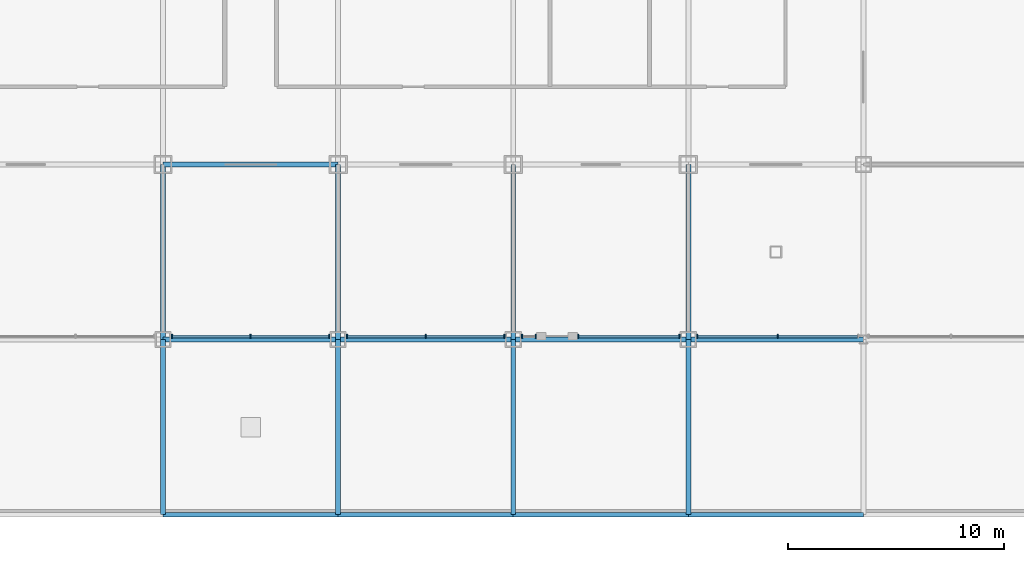
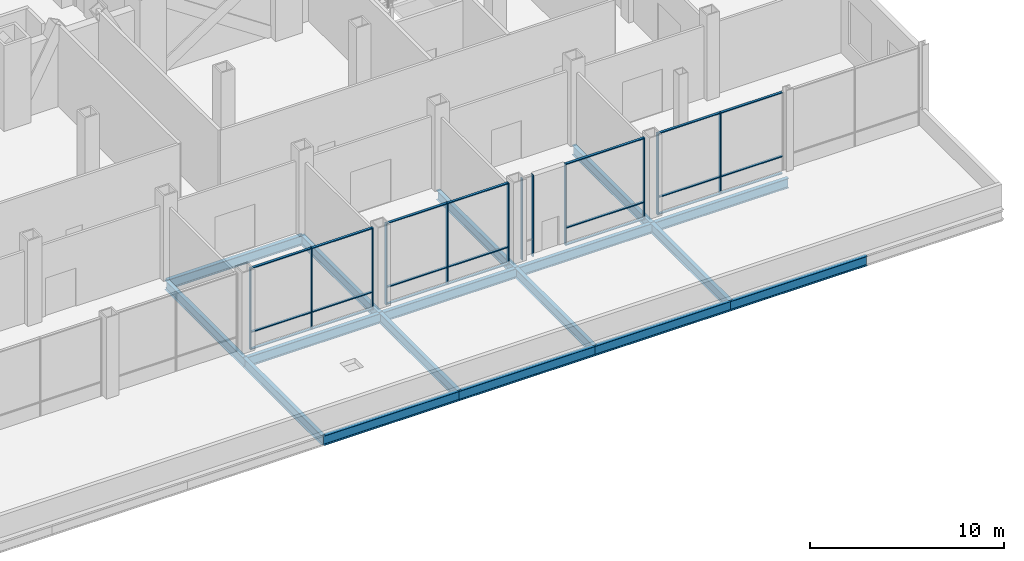
# One storey, part 11 of 29: 33 members, 17 beams, 5 elements without a shape of their own.
"""IFC4 building model written with IfcOpenShell, lengths in metres."""

from ifc_helpers import new_model, si_unit, direction, frame, origin, origin_2d, place, context, subcontext, project, spatial, rectangle, i_section, extrude, material, material_profile, profile_set, type_object, element, aggregate, save


model = new_model("IFC4")

# Units and contexts
model_context = context("Model", 3, precision=1e-05, world=origin(), true_north=direction((0.0, 1.0)))
body_context = subcontext(model_context, "Body", "Model", "MODEL_VIEW")
ifc_project = project(units=[si_unit("LENGTHUNIT", "METRE"), si_unit("AREAUNIT", "SQUARE_METRE"), si_unit("VOLUMEUNIT", "CUBIC_METRE"), si_unit("PLANEANGLEUNIT", "RADIAN"), si_unit("MASSUNIT", "GRAM", prefix="KILO")], contexts=[model_context])

# Site, building, storey
site_placement = place(None, origin())
site = spatial("IfcSite", under=ifc_project, at=site_placement, CompositionType="ELEMENT")
building_placement = place(site_placement, origin())
building = spatial("IfcBuilding", under=site, at=building_placement, Name="Kopane Lantern Tower", CompositionType="ELEMENT")
storey_placement = place(building_placement, frame((0.0, 0.0, 11.39990234375)))
storey = spatial("IfcBuildingStorey", under=building, at=storey_placement, Name="L02", CompositionType="ELEMENT", Elevation=11.39990234375)

# Beams
ifc_material_1 = material(Name="Steel S355JR", Category="steel")
ifc_material_profile_1 = material_profile(ifc_material_1, i_section(OverallWidth=0.22900390625, OverallDepth=0.6123046875, WebThickness=0.011962890625, FlangeThickness=0.01953125, FilletRadius=0.0126953125, at=origin_2d()), Name="UB 610x229x125")
ifc_profile_set_1 = profile_set([ifc_material_profile_1], Name="Steel S355JR")
beam_type = type_object("IfcBeamType", Name="GIRDER UB 610x229x125", PredefinedType="BEAM", material=ifc_profile_set_1)
beam_1_placement = place(storey_placement, frame((24.300048828125, -8.10009765625, -0.555908203125), z_axis=(0.0, 1.0, 0.0), x_axis=(-1.0, 0.0, 0.0)))
element("IfcBeam", 1, at=beam_1_placement, inside=storey, type_object=beam_type, Name="Girder L02", PredefinedType="BEAM", context=body_context, shape_type="SweptSolid", body=[
    extrude(i_section(OverallWidth=0.22900390625, OverallDepth=0.6123046875, WebThickness=0.011962890625, FlangeThickness=0.01953125, FilletRadius=0.0126953125, at=origin_2d()), origin(), (0.0, 0.0, 1.0), 8.10009765625),
])
beam_2_placement = place(storey_placement, frame((24.300048828125, -8.10009765625, -0.555908203125), z_axis=(1.0, 0.0, 0.0), x_axis=(0.0, 1.0, 0.0)))
element("IfcBeam", 2, at=beam_2_placement, inside=storey, type_object=beam_type, Name="Girder L02", PredefinedType="BEAM", context=body_context, shape_type="SweptSolid", body=[
    extrude(i_section(OverallWidth=0.22900390625, OverallDepth=0.6123046875, WebThickness=0.011962890625, FlangeThickness=0.01953125, FilletRadius=0.0126953125, at=origin_2d()), origin(), (0.0, 0.0, 1.0), 8.099853515625),
])
beam_3_placement = place(storey_placement, frame((24.300048828125, 0.0, -0.555908203125), z_axis=(0.0, 1.0, 0.0), x_axis=(-1.0, 0.0, 0.0)))
element("IfcBeam", 3, at=beam_3_placement, inside=storey, type_object=beam_type, Name="Girder L02", PredefinedType="BEAM", context=body_context, shape_type="SweptSolid", body=[
    extrude(i_section(OverallWidth=0.22900390625, OverallDepth=0.6123046875, WebThickness=0.011962890625, FlangeThickness=0.01953125, FilletRadius=0.0126953125, at=origin_2d()), origin(), (0.0, 0.0, 1.0), 8.10009765625),
])
for number, where, z_axis, x_axis, name in (
    (4, (24.300048828125, 0.0, -0.555908203125), (1.0, 0.0, 0.0), (0.0, 1.0, 0.0), "Girder L02"),
    (5, (24.300048828125, 8.10009765625, -0.555908203125), (1.0, 0.0, 0.0), (0.0, 1.0, 0.0), "Girder L02"),
):
    element("IfcBeam", number, at=place(storey_placement, frame(where, z_axis=z_axis, x_axis=x_axis)), inside=storey, type_object=beam_type, Name=name, PredefinedType="BEAM", context=body_context, shape_type="SweptSolid", body=[
        extrude(i_section(OverallWidth=0.22900390625, OverallDepth=0.6123046875, WebThickness=0.011962890625, FlangeThickness=0.01953125, FilletRadius=0.0126953125, at=origin_2d()), origin(), (0.0, 0.0, 1.0), 8.099853515625),
    ])
for number, where, z_axis, x_axis, name in (
    (6, (32.39990234375, -8.10009765625, -0.555908203125), (0.0, 1.0, 0.0), (-1.0, 0.0, 0.0), "Girder L02"),
    (7, (32.39990234375, -8.10009765625, -0.555908203125), (1.0, 0.0, 0.0), (0.0, 1.0, 0.0), "Girder L02"),
    (8, (32.39990234375, 0.0, -0.555908203125), (0.0, 1.0, 0.0), (-1.0, 0.0, 0.0), "Girder L02"),
    (9, (32.39990234375, 0.0, -0.555908203125), (1.0, 0.0, 0.0), (0.0, 1.0, 0.0), "Girder L02"),
    (10, (40.5, -8.10009765625, -0.555908203125), (0.0, 1.0, 0.0), (-1.0, 0.0, 0.0), "Girder L02"),
    (11, (40.5, -8.10009765625, -0.555908203125), (1.0, 0.0, 0.0), (0.0, 1.0, 0.0), "Girder L02"),
    (12, (40.5, 0.0, -0.555908203125), (0.0, 1.0, 0.0), (-1.0, 0.0, 0.0), "Girder L02"),
    (13, (40.5, 0.0, -0.555908203125), (1.0, 0.0, 0.0), (0.0, 1.0, 0.0), "Girder L02"),
    (14, (48.60009765625, -8.10009765625, -0.555908203125), (0.0, 1.0, 0.0), (-1.0, 0.0, 0.0), "Girder L02"),
):
    element("IfcBeam", number, at=place(storey_placement, frame(where, z_axis=z_axis, x_axis=x_axis)), inside=storey, type_object=beam_type, Name=name, PredefinedType="BEAM", context=body_context, shape_type="SweptSolid", body=[
        extrude(i_section(OverallWidth=0.22900390625, OverallDepth=0.6123046875, WebThickness=0.011962890625, FlangeThickness=0.01953125, FilletRadius=0.0126953125, at=origin_2d()), origin(), (0.0, 0.0, 1.0), 8.10009765625),
    ])
beam_4_placement = place(storey_placement, frame((48.60009765625, -8.10009765625, -0.555908203125), z_axis=(1.0, 0.0, 0.0), x_axis=(0.0, 1.0, 0.0)))
element("IfcBeam", 15, at=beam_4_placement, inside=storey, type_object=beam_type, Name="Girder L02", PredefinedType="BEAM", context=body_context, shape_type="SweptSolid", body=[
    extrude(i_section(OverallWidth=0.22900390625, OverallDepth=0.6123046875, WebThickness=0.011962890625, FlangeThickness=0.01953125, FilletRadius=0.0126953125, at=origin_2d()), origin(), (0.0, 0.0, 1.0), 8.099853515625),
])
beam_5_placement = place(storey_placement, frame((48.60009765625, 0.0, -0.555908203125), z_axis=(0.0, 1.0, 0.0), x_axis=(-1.0, 0.0, 0.0)))
element("IfcBeam", 16, at=beam_5_placement, inside=storey, type_object=beam_type, Name="Girder L02", PredefinedType="BEAM", context=body_context, shape_type="SweptSolid", body=[
    extrude(i_section(OverallWidth=0.22900390625, OverallDepth=0.6123046875, WebThickness=0.011962890625, FlangeThickness=0.01953125, FilletRadius=0.0126953125, at=origin_2d()), origin(), (0.0, 0.0, 1.0), 8.10009765625),
])
beam_6_placement = place(storey_placement, frame((48.60009765625, 0.0, -0.555908203125), z_axis=(1.0, 0.0, 0.0), x_axis=(0.0, 1.0, 0.0)))
element("IfcBeam", 17, at=beam_6_placement, inside=storey, type_object=beam_type, Name="Girder L02", PredefinedType="BEAM", context=body_context, shape_type="SweptSolid", body=[
    extrude(i_section(OverallWidth=0.22900390625, OverallDepth=0.6123046875, WebThickness=0.011962890625, FlangeThickness=0.01953125, FilletRadius=0.0126953125, at=origin_2d()), origin(), (0.0, 0.0, 1.0), 8.099853515625),
])

# Curtain wall, members
ifc_material_2 = material(Name="Aluminium and clear glass", Category="aluminium")
curtain_wall_type = type_object("IfcCurtainWallType", Name="CURTAIN WALL CW2 PODIUM UPPER", PredefinedType="USERDEFINED", material=ifc_material_2)
curtain_wall_1_placement = place(storey_placement, origin())
curtain_wall_1 = element("IfcCurtainWall", 18, at=curtain_wall_1_placement, inside=storey, type_object=curtain_wall_type, Name="Curtain wall CW2 S L02", ObjectType="CURTAIN WALL", PredefinedType="USERDEFINED")
ifc_material_3 = material(Name="Aluminium", Category="aluminium")
ifc_material_profile_2 = material_profile(ifc_material_3, rectangle(XDim=0.06005859375, YDim=0.179931640625, at=origin_2d()), Name="AL 60x180")
ifc_profile_set_2 = profile_set([ifc_material_profile_2], Name="Aluminium")
member_type_1 = type_object("IfcMemberType", Name="MULLION CW2-M 60x180", PredefinedType="MULLION", material=ifc_profile_set_2)
member_1_placement = place(storey_placement, frame((24.7099609375, 0.14990234375, 0.0), z_axis=(0.0, 0.0, 1.0), x_axis=(1.0, 0.0, 0.0)))
member_1 = element("IfcMember", 19, at=member_1_placement, type_object=member_type_1, Name="CW2 mullion 1", PredefinedType="MULLION", context=body_context, shape_type="SweptSolid", body=[
    extrude(rectangle(XDim=0.06005859375, YDim=0.179931640625, at=origin_2d()), origin(), (0.0, 0.0, 1.0), 5.150146484375),
])
member_2_placement = place(storey_placement, frame((28.35009765625, 0.14990234375, 0.0), z_axis=(0.0, 0.0, 1.0), x_axis=(1.0, 0.0, 0.0)))
member_2 = element("IfcMember", 20, at=member_2_placement, type_object=member_type_1, Name="CW2 mullion 2", PredefinedType="MULLION", context=body_context, shape_type="SweptSolid", body=[
    extrude(rectangle(XDim=0.06005859375, YDim=0.179931640625, at=origin_2d()), origin(), (0.0, 0.0, 1.0), 5.150146484375),
])
member_3_placement = place(storey_placement, frame((31.989990234375, 0.14990234375, 0.0), z_axis=(0.0, 0.0, 1.0), x_axis=(1.0, 0.0, 0.0)))
member_3 = element("IfcMember", 21, at=member_3_placement, type_object=member_type_1, Name="CW2 mullion 3", PredefinedType="MULLION", context=body_context, shape_type="SweptSolid", body=[
    extrude(rectangle(XDim=0.06005859375, YDim=0.179931640625, at=origin_2d()), origin(), (0.0, 0.0, 1.0), 5.150146484375),
])

curtain_wall_2_placement = place(storey_placement, origin())
curtain_wall_2 = element("IfcCurtainWall", 22, at=curtain_wall_2_placement, inside=storey, type_object=curtain_wall_type, Name="Curtain wall CW2 S L02", ObjectType="CURTAIN WALL", PredefinedType="USERDEFINED")
member_4_placement = place(storey_placement, frame((32.81005859375, 0.14990234375, 0.0), z_axis=(0.0, 0.0, 1.0), x_axis=(1.0, 0.0, 0.0)))
member_4 = element("IfcMember", 23, at=member_4_placement, type_object=member_type_1, Name="CW2 mullion 1", PredefinedType="MULLION", context=body_context, shape_type="SweptSolid", body=[
    extrude(rectangle(XDim=0.06005859375, YDim=0.179931640625, at=origin_2d()), origin(), (0.0, 0.0, 1.0), 5.150146484375),
])
member_5_placement = place(storey_placement, frame((36.449951171875, 0.14990234375, 0.0), z_axis=(0.0, 0.0, 1.0), x_axis=(1.0, 0.0, 0.0)))
member_5 = element("IfcMember", 24, at=member_5_placement, type_object=member_type_1, Name="CW2 mullion 2", PredefinedType="MULLION", context=body_context, shape_type="SweptSolid", body=[
    extrude(rectangle(XDim=0.06005859375, YDim=0.179931640625, at=origin_2d()), origin(), (0.0, 0.0, 1.0), 5.150146484375),
])
member_6_placement = place(storey_placement, frame((40.090087890625, 0.14990234375, 0.0), z_axis=(0.0, 0.0, 1.0), x_axis=(1.0, 0.0, 0.0)))
member_6 = element("IfcMember", 25, at=member_6_placement, type_object=member_type_1, Name="CW2 mullion 3", PredefinedType="MULLION", context=body_context, shape_type="SweptSolid", body=[
    extrude(rectangle(XDim=0.06005859375, YDim=0.179931640625, at=origin_2d()), origin(), (0.0, 0.0, 1.0), 5.150146484375),
])

curtain_wall_3_placement = place(storey_placement, origin())
curtain_wall_3 = element("IfcCurtainWall", 26, at=curtain_wall_3_placement, inside=storey, type_object=curtain_wall_type, Name="Curtain wall CW2 S L02", ObjectType="CURTAIN WALL", PredefinedType="USERDEFINED")
member_7_placement = place(storey_placement, frame((40.909912109375, 0.14990234375, 0.0), z_axis=(0.0, 0.0, 1.0), x_axis=(1.0, 0.0, 0.0)))
member_7 = element("IfcMember", 27, at=member_7_placement, type_object=member_type_1, Name="CW2 mullion 1", PredefinedType="MULLION", context=body_context, shape_type="SweptSolid", body=[
    extrude(rectangle(XDim=0.06005859375, YDim=0.179931640625, at=origin_2d()), origin(), (0.0, 0.0, 1.0), 5.150146484375),
])
member_8_placement = place(storey_placement, frame((41.544921875, 0.14990234375, 0.0), z_axis=(0.0, 0.0, 1.0), x_axis=(1.0, 0.0, 0.0)))
member_8 = element("IfcMember", 28, at=member_8_placement, type_object=member_type_1, Name="CW2 mullion 2", PredefinedType="MULLION", context=body_context, shape_type="SweptSolid", body=[
    extrude(rectangle(XDim=0.06005859375, YDim=0.179931640625, at=origin_2d()), origin(), (0.0, 0.0, 1.0), 5.150146484375),
])
aggregate(curtain_wall_3, [member_7, member_8])

curtain_wall_4_placement = place(storey_placement, origin())
curtain_wall_4 = element("IfcCurtainWall", 29, at=curtain_wall_4_placement, inside=storey, type_object=curtain_wall_type, Name="Curtain wall CW2 S L02", ObjectType="CURTAIN WALL", PredefinedType="USERDEFINED")
member_9_placement = place(storey_placement, frame((43.5048828125, 0.14990234375, 0.0), z_axis=(0.0, 0.0, 1.0), x_axis=(1.0, 0.0, 0.0)))
member_9 = element("IfcMember", 30, at=member_9_placement, type_object=member_type_1, Name="CW2 mullion 1", PredefinedType="MULLION", context=body_context, shape_type="SweptSolid", body=[
    extrude(rectangle(XDim=0.06005859375, YDim=0.179931640625, at=origin_2d()), origin(), (0.0, 0.0, 1.0), 5.150146484375),
])
member_10_placement = place(storey_placement, frame((48.18994140625, 0.14990234375, 0.0), z_axis=(0.0, 0.0, 1.0), x_axis=(1.0, 0.0, 0.0)))
member_10 = element("IfcMember", 31, at=member_10_placement, type_object=member_type_1, Name="CW2 mullion 2", PredefinedType="MULLION", context=body_context, shape_type="SweptSolid", body=[
    extrude(rectangle(XDim=0.06005859375, YDim=0.179931640625, at=origin_2d()), origin(), (0.0, 0.0, 1.0), 5.150146484375),
])

curtain_wall_5_placement = place(storey_placement, origin())
curtain_wall_5 = element("IfcCurtainWall", 32, at=curtain_wall_5_placement, inside=storey, type_object=curtain_wall_type, Name="Curtain wall CW2 S L02", ObjectType="CURTAIN WALL", PredefinedType="USERDEFINED")
member_11_placement = place(storey_placement, frame((49.010009765625, 0.14990234375, 0.0), z_axis=(0.0, 0.0, 1.0), x_axis=(1.0, 0.0, 0.0)))
member_11 = element("IfcMember", 33, at=member_11_placement, type_object=member_type_1, Name="CW2 mullion 1", PredefinedType="MULLION", context=body_context, shape_type="SweptSolid", body=[
    extrude(rectangle(XDim=0.06005859375, YDim=0.179931640625, at=origin_2d()), origin(), (0.0, 0.0, 1.0), 5.150146484375),
])
member_12_placement = place(storey_placement, frame((52.73681640625, 0.14990234375, 0.0), z_axis=(0.0, 0.0, 1.0), x_axis=(1.0, 0.0, 0.0)))
member_12 = element("IfcMember", 34, at=member_12_placement, type_object=member_type_1, Name="CW2 mullion 2", PredefinedType="MULLION", context=body_context, shape_type="SweptSolid", body=[
    extrude(rectangle(XDim=0.06005859375, YDim=0.179931640625, at=origin_2d()), origin(), (0.0, 0.0, 1.0), 5.150146484375),
])

# Member
ifc_material_4 = material(Name="Aluminium", Category="aluminium")
ifc_material_profile_3 = material_profile(ifc_material_4, rectangle(XDim=0.139892578125, YDim=0.06005859375, at=origin_2d()), Name="AL 140x60")
ifc_profile_set_3 = profile_set([ifc_material_profile_3], Name="Aluminium")
member_type_2 = type_object("IfcMemberType", Name="TRANSOM CW2-T 60x140", PredefinedType="USERDEFINED", material=ifc_profile_set_3)
member_13_placement = place(storey_placement, frame((24.739990234375, 0.14990234375, 0.030029296875), z_axis=(1.0, 0.0, 0.0), x_axis=(0.0, 1.0, 0.0)))
member_13 = element("IfcMember", 35, at=member_13_placement, type_object=member_type_2, Name="CW2 transom 1.1", ObjectType="TRANSOM", PredefinedType="USERDEFINED", context=body_context, shape_type="SweptSolid", body=[
    extrude(rectangle(XDim=0.139892578125, YDim=0.06005859375, at=origin_2d()), origin(), (0.0, 0.0, 1.0), 3.580078125),
])

member_14_placement = place(storey_placement, frame((24.739990234375, 0.14990234375, 1.10009765625), z_axis=(1.0, 0.0, 0.0), x_axis=(0.0, 1.0, 0.0)))
member_14 = element("IfcMember", 36, at=member_14_placement, type_object=member_type_2, Name="CW2 transom 1.2", ObjectType="TRANSOM", PredefinedType="USERDEFINED", context=body_context, shape_type="SweptSolid", body=[
    extrude(rectangle(XDim=0.139892578125, YDim=0.06005859375, at=origin_2d()), origin(), (0.0, 0.0, 1.0), 3.580078125),
])

member_15_placement = place(storey_placement, frame((24.739990234375, 0.14990234375, 5.1201171875), z_axis=(1.0, 0.0, 0.0), x_axis=(0.0, 1.0, 0.0)))
member_15 = element("IfcMember", 37, at=member_15_placement, type_object=member_type_2, Name="CW2 transom 1.3", ObjectType="TRANSOM", PredefinedType="USERDEFINED", context=body_context, shape_type="SweptSolid", body=[
    extrude(rectangle(XDim=0.139892578125, YDim=0.06005859375, at=origin_2d()), origin(), (0.0, 0.0, 1.0), 3.580078125),
])

member_16_placement = place(storey_placement, frame((28.3798828125, 0.14990234375, 0.030029296875), z_axis=(1.0, 0.0, 0.0), x_axis=(0.0, 1.0, 0.0)))
member_16 = element("IfcMember", 38, at=member_16_placement, type_object=member_type_2, Name="CW2 transom 2.1", ObjectType="TRANSOM", PredefinedType="USERDEFINED", context=body_context, shape_type="SweptSolid", body=[
    extrude(rectangle(XDim=0.139892578125, YDim=0.06005859375, at=origin_2d()), origin(), (0.0, 0.0, 1.0), 3.580078125),
])

member_17_placement = place(storey_placement, frame((28.3798828125, 0.14990234375, 1.10009765625), z_axis=(1.0, 0.0, 0.0), x_axis=(0.0, 1.0, 0.0)))
member_17 = element("IfcMember", 39, at=member_17_placement, type_object=member_type_2, Name="CW2 transom 2.2", ObjectType="TRANSOM", PredefinedType="USERDEFINED", context=body_context, shape_type="SweptSolid", body=[
    extrude(rectangle(XDim=0.139892578125, YDim=0.06005859375, at=origin_2d()), origin(), (0.0, 0.0, 1.0), 3.580078125),
])

member_18_placement = place(storey_placement, frame((28.3798828125, 0.14990234375, 5.1201171875), z_axis=(1.0, 0.0, 0.0), x_axis=(0.0, 1.0, 0.0)))
member_18 = element("IfcMember", 40, at=member_18_placement, type_object=member_type_2, Name="CW2 transom 2.3", ObjectType="TRANSOM", PredefinedType="USERDEFINED", context=body_context, shape_type="SweptSolid", body=[
    extrude(rectangle(XDim=0.139892578125, YDim=0.06005859375, at=origin_2d()), origin(), (0.0, 0.0, 1.0), 3.580078125),
])

aggregate(curtain_wall_1, [member_1, member_2, member_3, member_13, member_14, member_15, member_16, member_17, member_18])

member_19_placement = place(storey_placement, frame((32.840087890625, 0.14990234375, 0.030029296875), z_axis=(1.0, 0.0, 0.0), x_axis=(0.0, 1.0, 0.0)))
member_19 = element("IfcMember", 41, at=member_19_placement, type_object=member_type_2, Name="CW2 transom 1.1", ObjectType="TRANSOM", PredefinedType="USERDEFINED", context=body_context, shape_type="SweptSolid", body=[
    extrude(rectangle(XDim=0.139892578125, YDim=0.06005859375, at=origin_2d()), origin(), (0.0, 0.0, 1.0), 3.579833984375),
])

member_20_placement = place(storey_placement, frame((32.840087890625, 0.14990234375, 1.10009765625), z_axis=(1.0, 0.0, 0.0), x_axis=(0.0, 1.0, 0.0)))
member_20 = element("IfcMember", 42, at=member_20_placement, type_object=member_type_2, Name="CW2 transom 1.2", ObjectType="TRANSOM", PredefinedType="USERDEFINED", context=body_context, shape_type="SweptSolid", body=[
    extrude(rectangle(XDim=0.139892578125, YDim=0.06005859375, at=origin_2d()), origin(), (0.0, 0.0, 1.0), 3.579833984375),
])

member_21_placement = place(storey_placement, frame((32.840087890625, 0.14990234375, 5.1201171875), z_axis=(1.0, 0.0, 0.0), x_axis=(0.0, 1.0, 0.0)))
member_21 = element("IfcMember", 43, at=member_21_placement, type_object=member_type_2, Name="CW2 transom 1.3", ObjectType="TRANSOM", PredefinedType="USERDEFINED", context=body_context, shape_type="SweptSolid", body=[
    extrude(rectangle(XDim=0.139892578125, YDim=0.06005859375, at=origin_2d()), origin(), (0.0, 0.0, 1.0), 3.579833984375),
])

member_22_placement = place(storey_placement, frame((36.47998046875, 0.14990234375, 0.030029296875), z_axis=(1.0, 0.0, 0.0), x_axis=(0.0, 1.0, 0.0)))
member_22 = element("IfcMember", 44, at=member_22_placement, type_object=member_type_2, Name="CW2 transom 2.1", ObjectType="TRANSOM", PredefinedType="USERDEFINED", context=body_context, shape_type="SweptSolid", body=[
    extrude(rectangle(XDim=0.139892578125, YDim=0.06005859375, at=origin_2d()), origin(), (0.0, 0.0, 1.0), 3.580078125),
])

member_23_placement = place(storey_placement, frame((36.47998046875, 0.14990234375, 1.10009765625), z_axis=(1.0, 0.0, 0.0), x_axis=(0.0, 1.0, 0.0)))
member_23 = element("IfcMember", 45, at=member_23_placement, type_object=member_type_2, Name="CW2 transom 2.2", ObjectType="TRANSOM", PredefinedType="USERDEFINED", context=body_context, shape_type="SweptSolid", body=[
    extrude(rectangle(XDim=0.139892578125, YDim=0.06005859375, at=origin_2d()), origin(), (0.0, 0.0, 1.0), 3.580078125),
])

member_24_placement = place(storey_placement, frame((36.47998046875, 0.14990234375, 5.1201171875), z_axis=(1.0, 0.0, 0.0), x_axis=(0.0, 1.0, 0.0)))
member_24 = element("IfcMember", 46, at=member_24_placement, type_object=member_type_2, Name="CW2 transom 2.3", ObjectType="TRANSOM", PredefinedType="USERDEFINED", context=body_context, shape_type="SweptSolid", body=[
    extrude(rectangle(XDim=0.139892578125, YDim=0.06005859375, at=origin_2d()), origin(), (0.0, 0.0, 1.0), 3.580078125),
])

aggregate(curtain_wall_2, [member_4, member_5, member_6, member_19, member_20, member_21, member_22, member_23, member_24])

member_25_placement = place(storey_placement, frame((43.534912109375, 0.14990234375, 0.030029296875), z_axis=(1.0, 0.0, 0.0), x_axis=(0.0, 1.0, 0.0)))
member_25 = element("IfcMember", 47, at=member_25_placement, type_object=member_type_2, Name="CW2 transom 1.1", ObjectType="TRANSOM", PredefinedType="USERDEFINED", context=body_context, shape_type="SweptSolid", body=[
    extrude(rectangle(XDim=0.139892578125, YDim=0.06005859375, at=origin_2d()), origin(), (0.0, 0.0, 1.0), 4.625),
])

member_26_placement = place(storey_placement, frame((43.534912109375, 0.14990234375, 1.10009765625), z_axis=(1.0, 0.0, 0.0), x_axis=(0.0, 1.0, 0.0)))
member_26 = element("IfcMember", 48, at=member_26_placement, type_object=member_type_2, Name="CW2 transom 1.2", ObjectType="TRANSOM", PredefinedType="USERDEFINED", context=body_context, shape_type="SweptSolid", body=[
    extrude(rectangle(XDim=0.139892578125, YDim=0.06005859375, at=origin_2d()), origin(), (0.0, 0.0, 1.0), 4.625),
])

member_27_placement = place(storey_placement, frame((43.534912109375, 0.14990234375, 5.1201171875), z_axis=(1.0, 0.0, 0.0), x_axis=(0.0, 1.0, 0.0)))
member_27 = element("IfcMember", 49, at=member_27_placement, type_object=member_type_2, Name="CW2 transom 1.3", ObjectType="TRANSOM", PredefinedType="USERDEFINED", context=body_context, shape_type="SweptSolid", body=[
    extrude(rectangle(XDim=0.139892578125, YDim=0.06005859375, at=origin_2d()), origin(), (0.0, 0.0, 1.0), 4.625),
])

aggregate(curtain_wall_4, [member_9, member_10, member_25, member_26, member_27])

member_28_placement = place(storey_placement, frame((49.0400390625, 0.14990234375, 0.030029296875), z_axis=(1.0, 0.0, 0.0), x_axis=(0.0, 1.0, 0.0)))
member_28 = element("IfcMember", 50, at=member_28_placement, type_object=member_type_2, Name="CW2 transom 1.1", ObjectType="TRANSOM", PredefinedType="USERDEFINED", context=body_context, shape_type="SweptSolid", body=[
    extrude(rectangle(XDim=0.139892578125, YDim=0.06005859375, at=origin_2d()), origin(), (0.0, 0.0, 1.0), 3.666748046875),
])

member_29_placement = place(storey_placement, frame((49.0400390625, 0.14990234375, 1.10009765625), z_axis=(1.0, 0.0, 0.0), x_axis=(0.0, 1.0, 0.0)))
member_29 = element("IfcMember", 51, at=member_29_placement, type_object=member_type_2, Name="CW2 transom 1.2", ObjectType="TRANSOM", PredefinedType="USERDEFINED", context=body_context, shape_type="SweptSolid", body=[
    extrude(rectangle(XDim=0.139892578125, YDim=0.06005859375, at=origin_2d()), origin(), (0.0, 0.0, 1.0), 3.666748046875),
])

member_30_placement = place(storey_placement, frame((49.0400390625, 0.14990234375, 5.1201171875), z_axis=(1.0, 0.0, 0.0), x_axis=(0.0, 1.0, 0.0)))
member_30 = element("IfcMember", 52, at=member_30_placement, type_object=member_type_2, Name="CW2 transom 1.3", ObjectType="TRANSOM", PredefinedType="USERDEFINED", context=body_context, shape_type="SweptSolid", body=[
    extrude(rectangle(XDim=0.139892578125, YDim=0.06005859375, at=origin_2d()), origin(), (0.0, 0.0, 1.0), 3.666748046875),
])

member_31_placement = place(storey_placement, frame((52.766845703125, 0.14990234375, 0.030029296875), z_axis=(1.0, 0.0, 0.0), x_axis=(0.0, 1.0, 0.0)))
member_31 = element("IfcMember", 53, at=member_31_placement, type_object=member_type_2, Name="CW2 transom 2.1", ObjectType="TRANSOM", PredefinedType="USERDEFINED", context=body_context, shape_type="SweptSolid", body=[
    extrude(rectangle(XDim=0.139892578125, YDim=0.06005859375, at=origin_2d()), origin(), (0.0, 0.0, 1.0), 3.666748046875),
])

member_32_placement = place(storey_placement, frame((52.766845703125, 0.14990234375, 1.10009765625), z_axis=(1.0, 0.0, 0.0), x_axis=(0.0, 1.0, 0.0)))
member_32 = element("IfcMember", 54, at=member_32_placement, type_object=member_type_2, Name="CW2 transom 2.2", ObjectType="TRANSOM", PredefinedType="USERDEFINED", context=body_context, shape_type="SweptSolid", body=[
    extrude(rectangle(XDim=0.139892578125, YDim=0.06005859375, at=origin_2d()), origin(), (0.0, 0.0, 1.0), 3.666748046875),
])

member_33_placement = place(storey_placement, frame((52.766845703125, 0.14990234375, 5.1201171875), z_axis=(1.0, 0.0, 0.0), x_axis=(0.0, 1.0, 0.0)))
member_33 = element("IfcMember", 55, at=member_33_placement, type_object=member_type_2, Name="CW2 transom 2.3", ObjectType="TRANSOM", PredefinedType="USERDEFINED", context=body_context, shape_type="SweptSolid", body=[
    extrude(rectangle(XDim=0.139892578125, YDim=0.06005859375, at=origin_2d()), origin(), (0.0, 0.0, 1.0), 3.666748046875),
])

aggregate(curtain_wall_5, [member_11, member_12, member_28, member_29, member_30, member_31, member_32, member_33])

save(model, "model.ifc")
